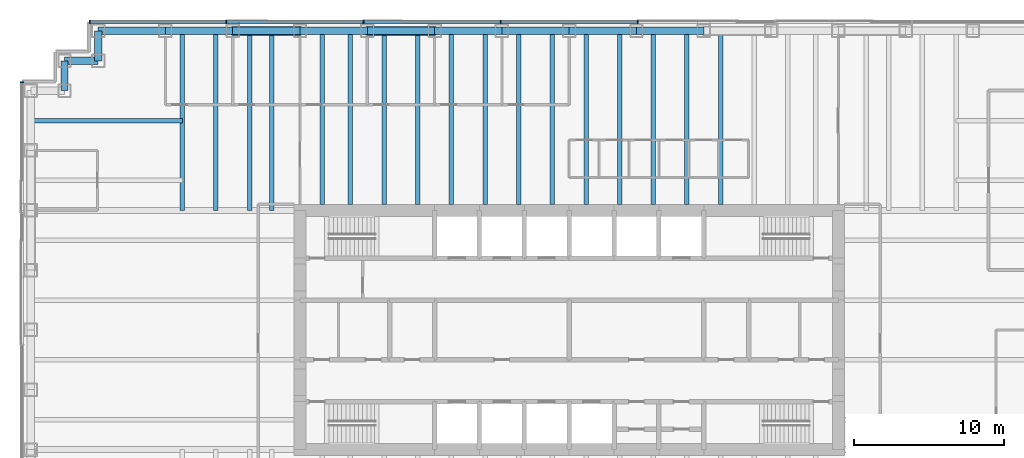
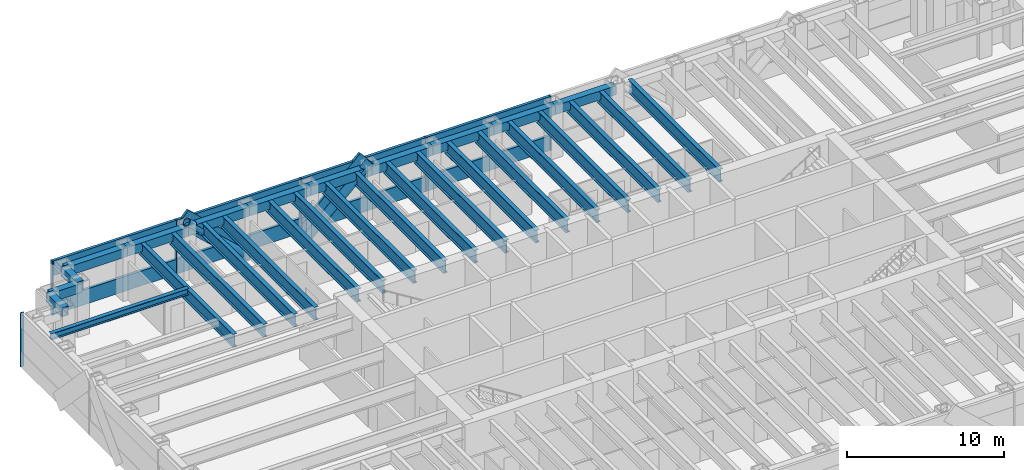
# One storey, part 5 of 12: 30 beams, 18 members, 2 elements without a shape of their own.
"""IFC4 building model written with IfcOpenShell, lengths in metres."""

import ifcopenshell
import ifcopenshell.guid

model = None  # the IFC model being written
_history = None  # IfcOwnerHistory: only IFC2X3 demands one
_inside = {}  # id of a spatial element -> (the spatial element, [elements in it])
_under = {}  # id of a project, library or spatial element -> (it, [spatial elements below it])
_declared = {}  # id of a project -> (the project, [libraries it declares])
_typed = {}  # id of a type object -> (the type object, [elements of that type])
_made_of = {}  # id of a material, layer set ... -> (it, [elements and type objects made of it])


def new_model(schema):
    """Start an empty IFC model of exactly this schema.

    Asked for "IFC4X3", IfcOpenShell would pick the latest addendum, in which some entities
    have other attributes; the version numbers below select the first issue.
    IFC2X3 requires an IfcOwnerHistory on every rooted entity: one is made here for all.
    """
    global model, _history
    if schema == "IFC4X3":
        model = ifcopenshell.file(schema_version=(4, 3, 0, 0))
    else:
        model = ifcopenshell.file(schema=schema)
    _inside.clear()
    _under.clear()
    _declared.clear()
    _typed.clear()
    _made_of.clear()
    _history = None
    if model.schema == "IFC2X3":
        org = make("IfcOrganization", Name="unknown")
        user = make(
            "IfcPersonAndOrganization",
            ThePerson=make("IfcPerson", FamilyName="unknown"),
            TheOrganization=org,
        )
        app = make(
            "IfcApplication",
            ApplicationDeveloper=org,
            Version="unknown",
            ApplicationFullName="unknown",
            ApplicationIdentifier="unknown",
        )
        _history = make(
            "IfcOwnerHistory",
            OwningUser=user,
            OwningApplication=app,
            ChangeAction="ADDED",
            CreationDate=0,
        )
    return model


def make(cls, **values):
    """One entity of the class cls with the attributes given. An attribute that is None is left unset."""
    return model.create_entity(
        cls, **{name: value for name, value in values.items() if value is not None}
    )


def rooted(cls, **values):
    """An entity with a GlobalId (a new one), such as an element, a storey or a relation."""
    return make(cls, GlobalId=ifcopenshell.guid.new(), OwnerHistory=_history, **values)


def si_unit(unit_type, name, prefix=None):
    """IfcSIUnit, for example si_unit("LENGTHUNIT", "METRE", prefix="MILLI")."""
    return make("IfcSIUnit", UnitType=unit_type, Prefix=prefix, Name=name)


def assignment(units):
    """IfcUnitAssignment: the units of a project."""
    return None if units is None else make("IfcUnitAssignment", Units=units)


def point(xyz):
    """IfcCartesianPoint."""
    return None if xyz is None else make("IfcCartesianPoint", Coordinates=xyz)


def direction(xyz):
    """IfcDirection."""
    return None if xyz is None else make("IfcDirection", DirectionRatios=xyz)


def frame(location, z_axis=None, x_axis=None):
    """IfcAxis2Placement3D, a coordinate frame: its origin and axes. An axis left out is left unset."""
    return make(
        "IfcAxis2Placement3D",
        Location=point(location),
        Axis=direction(z_axis),
        RefDirection=direction(x_axis),
    )


def frame_2d(location, x_axis=None):
    """IfcAxis2Placement2D, a coordinate frame in the plane: its origin and x axis."""
    return make(
        "IfcAxis2Placement2D", Location=point(location), RefDirection=direction(x_axis)
    )


def origin():
    """The frame at (0, 0, 0) with its axes left unset."""
    return frame((0.0, 0.0, 0.0))


def origin_2d():
    """The frame at (0, 0) in the plane with its x axis left unset."""
    return frame_2d((0.0, 0.0))


def place(relative_to, where):
    """IfcLocalPlacement: puts the frame where relative to a parent placement (None: the world)."""
    return make(
        "IfcLocalPlacement", PlacementRelTo=relative_to, RelativePlacement=where
    )


def context(
    kind, dimensions, precision=None, world=None, true_north=None, identifier=None
):
    """IfcGeometricRepresentationContext, for example the 3D "Model" context."""
    return make(
        "IfcGeometricRepresentationContext",
        ContextIdentifier=identifier,
        ContextType=kind,
        CoordinateSpaceDimension=dimensions,
        Precision=precision,
        WorldCoordinateSystem=world,
        TrueNorth=true_north,
    )


def subcontext(parent, identifier, kind, view, scale=None):
    """IfcGeometricRepresentationSubContext, for example "Body" below "Model"."""
    return make(
        "IfcGeometricRepresentationSubContext",
        ContextIdentifier=identifier,
        ContextType=kind,
        ParentContext=parent,
        TargetScale=scale,
        TargetView=view,
    )


def project(units=None, contexts=None):
    """IfcProject with its units and contexts."""
    return rooted(
        "IfcProject",
        Name="project",
        RepresentationContexts=contexts,
        UnitsInContext=assignment(units),
    )


def spatial(cls, under=None, at=None, **own):
    """A site, building, storey or space (cls), placed at a placement, below another one or the project."""
    s = rooted(cls, ObjectPlacement=at, **own)
    if under is not None:
        _under.setdefault(under.id(), (under, []))[1].append(s)
    return s


def profile(cls, at=None, kind="AREA", **sizes):
    """A parametric profile (cls). Its sizes go by their IFC names, for example OverallWidth=200.0."""
    return make(cls, ProfileType=kind, Position=at, **sizes)


def rectangle(**sizes):
    """IfcRectangleProfileDef."""
    return profile("IfcRectangleProfileDef", **sizes)


def hollow_rectangle(**sizes):
    """IfcRectangleHollowProfileDef."""
    return profile("IfcRectangleHollowProfileDef", **sizes)


def hollow_circle(**sizes):
    """IfcCircleHollowProfileDef."""
    return profile("IfcCircleHollowProfileDef", **sizes)


def i_section(**sizes):
    """IfcIShapeProfileDef."""
    return profile("IfcIShapeProfileDef", **sizes)


def extrude(swept, where, along, depth):
    """IfcExtrudedAreaSolid: the profile swept, set in the frame where, extruded along a direction by depth."""
    return make(
        "IfcExtrudedAreaSolid",
        SweptArea=swept,
        Position=where,
        ExtrudedDirection=direction(along),
        Depth=depth,
    )


def shape(context_of_items, identifier, shape_type, items):
    """IfcShapeRepresentation: the items that make up one representation, for example the "Body"."""
    return make(
        "IfcShapeRepresentation",
        ContextOfItems=context_of_items,
        RepresentationIdentifier=identifier,
        RepresentationType=shape_type,
        Items=items,
    )


def material(Name=None, Category=None):
    """IfcMaterial."""
    return make("IfcMaterial", Name=Name, Category=Category)


def material_profile(
    of_material, cross_section, Name=None, Category=None, Priority=None
):
    """IfcMaterialProfile: a cross section and its material."""
    return make(
        "IfcMaterialProfile",
        Name=Name,
        Material=of_material,
        Profile=cross_section,
        Priority=Priority,
        Category=Category,
    )


def profile_set(profiles, Name=None, composite=None):
    """IfcMaterialProfileSet."""
    return make(
        "IfcMaterialProfileSet",
        Name=Name,
        MaterialProfiles=profiles,
        CompositeProfile=composite,
    )


def made_of(thing, what):
    """Note that an element or type object is made of a material, layer set ...; save() writes the relation."""
    if what is not None:
        _made_of.setdefault(what.id(), (what, []))[1].append(thing)
    return thing


def type_object(cls, material=None, **own):
    """A type object (cls), such as IfcWallType, which elements share."""
    return made_of(rooted(cls, **own), material)


def element(
    cls,
    number,
    at=None,
    inside=None,
    cuts=None,
    type_object=None,
    material=None,
    context=None,
    identifier="Body",
    shape_type=None,
    held_by="IfcProductDefinitionShape",
    body=None,
    shapes=None,
    **own,
):
    """One element of the class cls, such as IfcWall. Its Tag is "e" and its number.

    at: its placement. inside: the storey or other place that contains it. cuts: it is an
    opening in that element (IfcRelVoidsElement). A single representation is given by context,
    identifier, shape_type and body (its items); several are given by shapes. held_by: the class
    of the entity that holds the representations. save() writes the other relations.
    """
    e = rooted(cls, Tag="e%d" % number, ObjectPlacement=at, **own)
    if body is not None:
        shapes = [shape(context, identifier, shape_type, body)]
    if shapes is not None:
        e.Representation = make(held_by, Representations=shapes)
    if inside is not None:
        _inside.setdefault(inside.id(), (inside, []))[1].append(e)
    if cuts is not None:
        rooted(
            "IfcRelVoidsElement", RelatingBuildingElement=cuts, RelatedOpeningElement=e
        )
    if type_object is not None:
        _typed.setdefault(type_object.id(), (type_object, []))[1].append(e)
    return made_of(e, material)


def aggregate(whole, parts):
    """IfcRelAggregates: a whole, such as a stair, and the parts it consists of."""
    return rooted("IfcRelAggregates", RelatingObject=whole, RelatedObjects=parts)


def save(model, path):
    """Write the relations noted so far, then the file.

    IfcRelAggregates (storeys below a building ...), IfcRelContainedInSpatialStructure (elements
    in a storey), IfcRelDefinesByType, IfcRelAssociatesMaterial and IfcRelDeclares: one each for
    every whole, place, type object, material and project.
    """
    for whole, parts in _under.values():
        aggregate(whole, parts)
    for where, things in _inside.values():
        rooted(
            "IfcRelContainedInSpatialStructure",
            RelatedElements=things,
            RelatingStructure=where,
        )
    for kind, things in _typed.values():
        rooted("IfcRelDefinesByType", RelatedObjects=things, RelatingType=kind)
    for what, things in _made_of.values():
        rooted("IfcRelAssociatesMaterial", RelatedObjects=things, RelatingMaterial=what)
    for by, libraries in _declared.values():
        rooted("IfcRelDeclares", RelatingContext=by, RelatedDefinitions=libraries)
    model.write(path)


model = new_model("IFC4")

# Units and contexts
model_context = context("Model", 3, precision=1e-05, world=origin(), true_north=direction((0.0, 1.0)))
body_context = subcontext(model_context, "Body", "Model", "MODEL_VIEW")
ifc_project = project(units=[si_unit("LENGTHUNIT", "METRE"), si_unit("AREAUNIT", "SQUARE_METRE"), si_unit("VOLUMEUNIT", "CUBIC_METRE"), si_unit("PLANEANGLEUNIT", "RADIAN"), si_unit("MASSUNIT", "GRAM", prefix="KILO")], contexts=[model_context])

# Site, building, storey
site_placement = place(None, origin())
site = spatial("IfcSite", under=ifc_project, at=site_placement, CompositionType="ELEMENT")
building_placement = place(site_placement, origin())
building = spatial("IfcBuilding", under=site, at=building_placement, Name="Rheinbord Bourse Tower", CompositionType="ELEMENT")
storey_placement = place(building_placement, frame((0.0, 0.0, 261.39990234375)))
storey = spatial("IfcBuildingStorey", under=building, at=storey_placement, Name="L59", CompositionType="ELEMENT", Elevation=261.39990234375)

# Beams
ifc_material_1 = material(Name="Steel S460M", Category="steel")
ifc_material_profile_1 = material_profile(ifc_material_1, hollow_rectangle(XDim=0.5, YDim=0.699951171875, WallThickness=0.0400390625, at=origin_2d()), Name="BOX 700x500x40")
ifc_profile_set_1 = profile_set([ifc_material_profile_1], Name="Steel S460M")
beam_type_1 = type_object("IfcBeamType", Name="BELT CHORD BOX 700x500x40", PredefinedType="SPANDREL", material=ifc_profile_set_1)
for number, where, z_axis, x_axis, name in (
    (1, (45.0, 44.0, 3.60009765625), (-1.0, 0.0, 0.0), (0.0, -1.0, 0.0), "Spandrel N-45-N-40.5 under L60"),
    (2, (40.5, 44.0, 3.60009765625), (-1.0, 0.0, 0.0), (0.0, -1.0, 0.0), "Spandrel N-40.5-N-36 under L60"),
    (3, (36.0, 44.0, 3.60009765625), (-1.0, 0.0, 0.0), (0.0, -1.0, 0.0), "Spandrel N-36-N-31.5 under L60"),
    (4, (31.5, 44.0, 3.60009765625), (-1.0, 0.0, 0.0), (0.0, -1.0, 0.0), "Spandrel N-31.5-N-27 under L60"),
    (5, (27.0, 44.0, 3.60009765625), (-1.0, 0.0, 0.0), (0.0, -1.0, 0.0), "Spandrel N-27-N-22.5 under L60"),
    (6, (22.5, 44.0, 3.60009765625), (-1.0, 0.0, 0.0), (0.0, -1.0, 0.0), "Spandrel N-22.5-N-18 under L60"),
    (7, (18.0, 44.0, 3.60009765625), (-1.0, 0.0, 0.0), (0.0, -1.0, 0.0), "Spandrel N-18-N-13.5 under L60"),
    (8, (13.5, 44.0, 3.60009765625), (-1.0, 0.0, 0.0), (0.0, -1.0, 0.0), "Spandrel N-13.5-N-9 under L60"),
    (9, (9.0, 44.0, 3.60009765625), (-1.0, 0.0, 0.0), (0.0, -1.0, 0.0), "Spandrel N-9-NW-E under L60"),
):
    element("IfcBeam", number, at=place(storey_placement, frame(where, z_axis=z_axis, x_axis=x_axis)), inside=storey, type_object=beam_type_1, Name=name, PredefinedType="SPANDREL", context=body_context, shape_type="SweptSolid", body=[
        extrude(hollow_rectangle(XDim=0.5, YDim=0.699951171875, WallThickness=0.0400390625, at=origin_2d()), origin(), (0.0, 0.0, 1.0), 4.5),
    ])
beam_1_placement = place(storey_placement, frame((4.5, 44.0, 3.60009765625), z_axis=(0.0, -1.0, 0.0), x_axis=(1.0, 0.0, 0.0)))
element("IfcBeam", 10, at=beam_1_placement, inside=storey, type_object=beam_type_1, Name="Spandrel NW-E-NW-D under L60", PredefinedType="SPANDREL", context=body_context, shape_type="SweptSolid", body=[
    extrude(hollow_rectangle(XDim=0.5, YDim=0.699951171875, WallThickness=0.0400390625, at=origin_2d()), origin(), (0.0, 0.0, 1.0), 2.0),
])
beam_2_placement = place(storey_placement, frame((4.5, 42.0, 3.60009765625), z_axis=(-1.0, 0.0, 0.0), x_axis=(0.0, -1.0, 0.0)))
element("IfcBeam", 11, at=beam_2_placement, inside=storey, type_object=beam_type_1, Name="Spandrel NW-D-NW-C under L60", PredefinedType="SPANDREL", context=body_context, shape_type="SweptSolid", body=[
    extrude(hollow_rectangle(XDim=0.5, YDim=0.699951171875, WallThickness=0.0400390625, at=origin_2d()), origin(), (0.0, 0.0, 1.0), 2.25),
])
beam_3_placement = place(storey_placement, frame((2.25, 42.0, 3.60009765625), z_axis=(0.0, -1.0, 0.0), x_axis=(1.0, 0.0, 0.0)))
element("IfcBeam", 12, at=beam_3_placement, inside=storey, type_object=beam_type_1, Name="Spandrel NW-C-NW-B under L60", PredefinedType="SPANDREL", context=body_context, shape_type="SweptSolid", body=[
    extrude(hollow_rectangle(XDim=0.5, YDim=0.699951171875, WallThickness=0.0400390625, at=origin_2d()), origin(), (0.0, 0.0, 1.0), 2.0),
])

# Curtain wall, members
ifc_material_2 = material(Name="Dark glass and black aluminium", Category="aluminium")
curtain_wall_type = type_object("IfcCurtainWallType", Name="CW5 DARK GLASS CURTAIN WALL", PredefinedType="USERDEFINED", material=ifc_material_2)
curtain_wall_1_placement = place(storey_placement, origin())
curtain_wall_1 = element("IfcCurtainWall", 13, at=curtain_wall_1_placement, inside=storey, type_object=curtain_wall_type, Name="Curtain wall CW5 N L59", ObjectType="UNITISED CURTAIN WALL", PredefinedType="USERDEFINED")
ifc_material_3 = material(Name="Black anodised aluminium", Category="aluminium")
ifc_material_profile_2 = material_profile(ifc_material_3, rectangle(XDim=0.199951171875, YDim=1.259033203125, at=origin_2d()), Name="CW5 DIAGONAL MULLION 1259x200")
ifc_profile_set_2 = profile_set([ifc_material_profile_2], Name="Black anodised aluminium")
member_type_1 = type_object("IfcMemberType", Name="CW5 BLACK DIAGONAL MULLION", PredefinedType="USERDEFINED", material=ifc_profile_set_2)
member_1_placement = place(storey_placement, frame((22.5, 44.60009765625, 0.0), z_axis=(0.731039441158, 0.0, 0.682335207557), x_axis=(0.0, 1.0, 0.0)))
member_1 = element("IfcMember", 14, at=member_1_placement, type_object=member_type_1, Name="CW5 diagonal mullion a", ObjectType="DIAGONAL MULLION", PredefinedType="USERDEFINED", context=body_context, shape_type="SweptSolid", body=[
    extrude(rectangle(XDim=0.199951171875, YDim=1.259033203125, at=origin_2d()), origin(), (0.0, 0.0, 1.0), 6.155517578125),
])
member_2_placement = place(storey_placement, frame((18.0, 44.60009765625, 0.0), z_axis=(-0.731039441158, 0.0, 0.682335207557), x_axis=(0.0, -1.0, 0.0)))
member_2 = element("IfcMember", 15, at=member_2_placement, type_object=member_type_1, Name="CW5 diagonal mullion d", ObjectType="DIAGONAL MULLION", PredefinedType="USERDEFINED", context=body_context, shape_type="SweptSolid", body=[
    extrude(rectangle(XDim=0.199951171875, YDim=1.259033203125, at=origin_2d()), origin(), (0.0, 0.0, 1.0), 6.155517578125),
])
ifc_material_4 = material(Name="Black anodised aluminium", Category="aluminium")
ifc_material_profile_3 = material_profile(ifc_material_4, rectangle(XDim=0.25, YDim=0.080078125, at=origin_2d()), Name="CW5 MULLION 80x250")
ifc_profile_set_3 = profile_set([ifc_material_profile_3], Name="Black anodised aluminium")
member_type_2 = type_object("IfcMemberType", Name="CW5 BLACK MULLION", PredefinedType="MULLION", material=ifc_profile_set_3)
member_3_placement = place(storey_placement, frame((40.585693359375, 44.60009765625, 0.0), z_axis=(0.0, 0.0, 1.0), x_axis=(0.0, -1.0, 0.0)))
member_3 = element("IfcMember", 16, at=member_3_placement, type_object=member_type_2, Name="CW5 mullion 4", PredefinedType="MULLION", context=body_context, shape_type="SweptSolid", body=[
    extrude(rectangle(XDim=0.25, YDim=0.080078125, at=origin_2d()), origin(), (0.0, 0.0, 1.0), 4.2001953125),
])
member_4_placement = place(storey_placement, frame((31.414306640625, 44.60009765625, 0.0), z_axis=(0.0, 0.0, 1.0), x_axis=(0.0, -1.0, 0.0)))
member_4 = element("IfcMember", 17, at=member_4_placement, type_object=member_type_2, Name="CW5 mullion 5", PredefinedType="MULLION", context=body_context, shape_type="SweptSolid", body=[
    extrude(rectangle(XDim=0.25, YDim=0.080078125, at=origin_2d()), origin(), (0.0, 0.0, 1.0), 4.2001953125),
])
member_5_placement = place(storey_placement, frame((22.242919921875, 44.60009765625, 0.0), z_axis=(0.0, 0.0, 1.0), x_axis=(0.0, -1.0, 0.0)))
member_5 = element("IfcMember", 18, at=member_5_placement, type_object=member_type_2, Name="CW5 mullion 6", PredefinedType="MULLION", context=body_context, shape_type="SweptSolid", body=[
    extrude(rectangle(XDim=0.25, YDim=0.080078125, at=origin_2d()), origin(), (0.0, 0.0, 1.0), 4.2001953125),
])
member_6_placement = place(storey_placement, frame((13.071533203125, 44.60009765625, 0.0), z_axis=(0.0, 0.0, 1.0), x_axis=(0.0, -1.0, 0.0)))
member_6 = element("IfcMember", 19, at=member_6_placement, type_object=member_type_2, Name="CW5 mullion 7", PredefinedType="MULLION", context=body_context, shape_type="SweptSolid", body=[
    extrude(rectangle(XDim=0.25, YDim=0.080078125, at=origin_2d()), origin(), (0.0, 0.0, 1.0), 4.2001953125),
])
member_7_placement = place(storey_placement, frame((3.93994140625, 44.60009765625, 0.0), z_axis=(0.0, 0.0, 1.0), x_axis=(0.0, -1.0, 0.0)))
member_7 = element("IfcMember", 20, at=member_7_placement, type_object=member_type_2, Name="CW5 mullion 8", PredefinedType="MULLION", context=body_context, shape_type="SweptSolid", body=[
    extrude(rectangle(XDim=0.25, YDim=0.080078125, at=origin_2d()), origin(), (0.0, 0.0, 1.0), 4.2001953125),
])

# Curtain wall, member
curtain_wall_2_placement = place(storey_placement, origin())
curtain_wall_2 = element("IfcCurtainWall", 21, at=curtain_wall_2_placement, inside=storey, type_object=curtain_wall_type, Name="Curtain wall CW5 W L59", ObjectType="UNITISED CURTAIN WALL", PredefinedType="USERDEFINED")
member_8_placement = place(storey_placement, frame((-0.60009765625, 40.56005859375, 0.0), z_axis=(0.0, 0.0, 1.0), x_axis=(1.0, 0.0, 0.0)))
member_8 = element("IfcMember", 22, at=member_8_placement, type_object=member_type_2, Name="CW5 mullion 1", PredefinedType="MULLION", context=body_context, shape_type="SweptSolid", body=[
    extrude(rectangle(XDim=0.25, YDim=0.080078125, at=origin_2d()), origin(), (0.0, 0.0, 1.0), 4.2001953125),
])
aggregate(curtain_wall_2, [member_8])

# Member
ifc_material_5 = material(Name="Black anodised aluminium", Category="aluminium")
ifc_material_profile_4 = material_profile(ifc_material_5, rectangle(XDim=0.199951171875, YDim=1.14990234375, at=origin_2d()), Name="CW5 TRANSOM 1150x200")
ifc_profile_set_4 = profile_set([ifc_material_profile_4], Name="Black anodised aluminium")
member_type_3 = type_object("IfcMemberType", Name="CW5 BLACK TRANSOM", PredefinedType="USERDEFINED", material=ifc_profile_set_4)
member_9_placement = place(storey_placement, frame((40.545654296875, 44.60009765625, 0.5751953125), z_axis=(-1.0, 0.0, 0.0), x_axis=(0.0, -1.0, 0.0)))
member_9 = element("IfcMember", 23, at=member_9_placement, type_object=member_type_3, Name="CW5 transom 4.1", ObjectType="TRANSOM", PredefinedType="USERDEFINED", context=body_context, shape_type="SweptSolid", body=[
    extrude(rectangle(XDim=0.199951171875, YDim=1.14990234375, at=origin_2d()), origin(), (0.0, 0.0, 1.0), 9.09130859375),
])

member_10_placement = place(storey_placement, frame((40.545654296875, 44.60009765625, 3.625), z_axis=(-1.0, 0.0, 0.0), x_axis=(0.0, -1.0, 0.0)))
member_10 = element("IfcMember", 24, at=member_10_placement, type_object=member_type_3, Name="CW5 transom 4.2", ObjectType="TRANSOM", PredefinedType="USERDEFINED", context=body_context, shape_type="SweptSolid", body=[
    extrude(rectangle(XDim=0.199951171875, YDim=1.14990234375, at=origin_2d()), origin(), (0.0, 0.0, 1.0), 9.09130859375),
])

member_11_placement = place(storey_placement, frame((31.374267578125, 44.60009765625, 0.5751953125), z_axis=(-1.0, 0.0, 0.0), x_axis=(0.0, -1.0, 0.0)))
member_11 = element("IfcMember", 25, at=member_11_placement, type_object=member_type_3, Name="CW5 transom 5.1", ObjectType="TRANSOM", PredefinedType="USERDEFINED", context=body_context, shape_type="SweptSolid", body=[
    extrude(rectangle(XDim=0.199951171875, YDim=1.14990234375, at=origin_2d()), origin(), (0.0, 0.0, 1.0), 9.09130859375),
])

member_12_placement = place(storey_placement, frame((31.374267578125, 44.60009765625, 3.625), z_axis=(-1.0, 0.0, 0.0), x_axis=(0.0, -1.0, 0.0)))
member_12 = element("IfcMember", 26, at=member_12_placement, type_object=member_type_3, Name="CW5 transom 5.2", ObjectType="TRANSOM", PredefinedType="USERDEFINED", context=body_context, shape_type="SweptSolid", body=[
    extrude(rectangle(XDim=0.199951171875, YDim=1.14990234375, at=origin_2d()), origin(), (0.0, 0.0, 1.0), 9.09130859375),
])

member_13_placement = place(storey_placement, frame((22.202880859375, 44.60009765625, 0.5751953125), z_axis=(-1.0, 0.0, 0.0), x_axis=(0.0, -1.0, 0.0)))
member_13 = element("IfcMember", 27, at=member_13_placement, type_object=member_type_3, Name="CW5 transom 6.1", ObjectType="TRANSOM", PredefinedType="USERDEFINED", context=body_context, shape_type="SweptSolid", body=[
    extrude(rectangle(XDim=0.199951171875, YDim=1.14990234375, at=origin_2d()), origin(), (0.0, 0.0, 1.0), 9.091552734375),
])

member_14_placement = place(storey_placement, frame((22.202880859375, 44.60009765625, 3.625), z_axis=(-1.0, 0.0, 0.0), x_axis=(0.0, -1.0, 0.0)))
member_14 = element("IfcMember", 28, at=member_14_placement, type_object=member_type_3, Name="CW5 transom 6.2", ObjectType="TRANSOM", PredefinedType="USERDEFINED", context=body_context, shape_type="SweptSolid", body=[
    extrude(rectangle(XDim=0.199951171875, YDim=1.14990234375, at=origin_2d()), origin(), (0.0, 0.0, 1.0), 9.091552734375),
])

member_15_placement = place(storey_placement, frame((13.031494140625, 44.60009765625, 0.5751953125), z_axis=(-1.0, 0.0, 0.0), x_axis=(0.0, -1.0, 0.0)))
member_15 = element("IfcMember", 29, at=member_15_placement, type_object=member_type_3, Name="CW5 transom 7.1", ObjectType="TRANSOM", PredefinedType="USERDEFINED", context=body_context, shape_type="SweptSolid", body=[
    extrude(rectangle(XDim=0.199951171875, YDim=1.14990234375, at=origin_2d()), origin(), (0.0, 0.0, 1.0), 9.051513671875),
])

member_16_placement = place(storey_placement, frame((13.031494140625, 44.60009765625, 3.625), z_axis=(-1.0, 0.0, 0.0), x_axis=(0.0, -1.0, 0.0)))
member_16 = element("IfcMember", 30, at=member_16_placement, type_object=member_type_3, Name="CW5 transom 7.2", ObjectType="TRANSOM", PredefinedType="USERDEFINED", context=body_context, shape_type="SweptSolid", body=[
    extrude(rectangle(XDim=0.199951171875, YDim=1.14990234375, at=origin_2d()), origin(), (0.0, 0.0, 1.0), 9.051513671875),
])

aggregate(curtain_wall_1, [member_3, member_4, member_5, member_6, member_7, member_9, member_10, member_11, member_12, member_13, member_14, member_15, member_16, member_1, member_2])

# Beams
ifc_material_6 = material(Name="Steel S460", Category="steel")
ifc_material_profile_5 = material_profile(ifc_material_6, i_section(OverallWidth=0.302001953125, OverallDepth=1.008056640625, WebThickness=0.02099609375, FlangeThickness=0.0400390625, at=origin_2d()), Name="HEM 1000")
ifc_profile_set_5 = profile_set([ifc_material_profile_5], Name="Steel S460")
beam_type_2 = type_object("IfcBeamType", Name="FLOOR BEAM HEM 1000", PredefinedType="BEAM", material=ifc_profile_set_5)
for number, where, z_axis, x_axis, name in (
    (31, (10.125, 44.0, 3.446044921875), (0.0, -1.0, 0.0), (1.0, 0.0, 0.0), "Floor beam N-9a L60"),
    (32, (12.375, 44.0, 3.446044921875), (0.0, -1.0, 0.0), (1.0, 0.0, 0.0), "Floor beam N-9b L60"),
    (33, (14.625, 44.0, 3.446044921875), (0.0, -1.0, 0.0), (1.0, 0.0, 0.0), "Floor beam N-13.5a L60"),
    (34, (16.125, 44.0, 3.446044921875), (0.0, -1.0, 0.0), (1.0, 0.0, 0.0), "Floor beam N-13.5b L60"),
):
    element("IfcBeam", number, at=place(storey_placement, frame(where, z_axis=z_axis, x_axis=x_axis)), inside=storey, type_object=beam_type_2, Name=name, PredefinedType="BEAM", context=body_context, shape_type="SweptSolid", body=[
        extrude(i_section(OverallWidth=0.302001953125, OverallDepth=1.008056640625, WebThickness=0.02099609375, FlangeThickness=0.0400390625, at=origin_2d()), origin(), (0.0, 0.0, 1.0), 12.0),
    ])
for number, where, z_axis, x_axis, name in (
    (35, (19.5, 44.0, 3.446044921875), (0.0, -1.0, 0.0), (1.0, 0.0, 0.0), "Floor beam N-18a L60"),
    (36, (21.375, 44.0, 3.446044921875), (0.0, -1.0, 0.0), (1.0, 0.0, 0.0), "Floor beam N-18b L60"),
    (37, (23.625, 44.0, 3.446044921875), (0.0, -1.0, 0.0), (1.0, 0.0, 0.0), "Floor beam N-22.5a L60"),
    (38, (25.875, 44.0, 3.446044921875), (0.0, -1.0, 0.0), (1.0, 0.0, 0.0), "Floor beam N-22.5b L60"),
    (39, (28.125, 44.0, 3.446044921875), (0.0, -1.0, 0.0), (1.0, 0.0, 0.0), "Floor beam N-27a L60"),
    (40, (30.375, 44.0, 3.446044921875), (0.0, -1.0, 0.0), (1.0, 0.0, 0.0), "Floor beam N-27b L60"),
    (41, (32.625, 44.0, 3.446044921875), (0.0, -1.0, 0.0), (1.0, 0.0, 0.0), "Floor beam N-31.5a L60"),
    (42, (34.875, 44.0, 3.446044921875), (0.0, -1.0, 0.0), (1.0, 0.0, 0.0), "Floor beam N-31.5b L60"),
    (43, (37.125, 44.0, 3.446044921875), (0.0, -1.0, 0.0), (1.0, 0.0, 0.0), "Floor beam N-36a L60"),
    (44, (39.375, 44.0, 3.446044921875), (0.0, -1.0, 0.0), (1.0, 0.0, 0.0), "Floor beam N-36b L60"),
    (45, (41.625, 44.0, 3.446044921875), (0.0, -1.0, 0.0), (1.0, 0.0, 0.0), "Floor beam N-40.5a L60"),
    (46, (43.875, 44.0, 3.446044921875), (0.0, -1.0, 0.0), (1.0, 0.0, 0.0), "Floor beam N-40.5b L60"),
    (47, (46.125, 44.0, 3.446044921875), (0.0, -1.0, 0.0), (1.0, 0.0, 0.0), "Floor beam N-45a L60"),
):
    element("IfcBeam", number, at=place(storey_placement, frame(where, z_axis=z_axis, x_axis=x_axis)), inside=storey, type_object=beam_type_2, Name=name, PredefinedType="BEAM", context=body_context, shape_type="SweptSolid", body=[
        extrude(i_section(OverallWidth=0.302001953125, OverallDepth=1.008056640625, WebThickness=0.02099609375, FlangeThickness=0.0400390625, at=origin_2d()), origin(), (0.0, 0.0, 1.0), 11.60009765625),
    ])

# Members
ifc_material_7 = material(Name="Steel S460", Category="steel")
ifc_material_profile_6 = material_profile(ifc_material_7, hollow_circle(Radius=0.304931640625, WallThickness=0.0400390625, at=origin_2d()), Name="CHS 610x40")
ifc_profile_set_6 = profile_set([ifc_material_profile_6], Name="Steel S460")
member_type_4 = type_object("IfcMemberType", Name="MEGABRACE CHS 610x40", PredefinedType="BRACE", material=ifc_profile_set_6)
for number, where, z_axis, x_axis, name in (
    (48, (22.5, 44.0, 0.0), (0.731039441158, 0.0, 0.682335207557), (0.0, 1.0, 0.0), "Megabrace N face line a L59"),
    (49, (18.0, 44.0, 0.0), (-0.731039441158, 0.0, 0.682335207557), (0.0, -1.0, 0.0), "Megabrace N face line d L59"),
):
    element("IfcMember", number, at=place(storey_placement, frame(where, z_axis=z_axis, x_axis=x_axis)), inside=storey, type_object=member_type_4, Name=name, PredefinedType="BRACE", context=body_context, shape_type="SweptSolid", body=[
        extrude(hollow_circle(Radius=0.304931640625, WallThickness=0.0400390625, at=origin_2d()), origin(), (0.0, 0.0, 1.0), 6.155517578125),
    ])

# Beam
ifc_material_8 = material(Name="Steel S460", Category="steel")
ifc_material_profile_7 = material_profile(ifc_material_8, i_section(OverallWidth=0.300048828125, OverallDepth=0.5, WebThickness=0.014404296875, FlangeThickness=0.028076171875, at=origin_2d()), Name="HEB 500")
ifc_profile_set_7 = profile_set([ifc_material_profile_7], Name="Steel S460")
beam_type_3 = type_object("IfcBeamType", Name="TIE BEAM HEB 500", PredefinedType="JOIST", material=ifc_profile_set_7)
beam_4_placement = place(storey_placement, frame((0.0, 38.0, 3.7001953125), z_axis=(1.0, 0.0, 0.0), x_axis=(0.0, 1.0, 0.0)))
element("IfcBeam", 50, at=beam_4_placement, inside=storey, type_object=beam_type_3, Name="Tie west 38 L60", PredefinedType="JOIST", context=body_context, shape_type="SweptSolid", body=[
    extrude(i_section(OverallWidth=0.300048828125, OverallDepth=0.5, WebThickness=0.014404296875, FlangeThickness=0.028076171875, at=origin_2d()), origin(), (0.0, 0.0, 1.0), 10.125),
])

save(model, "model.ifc")
